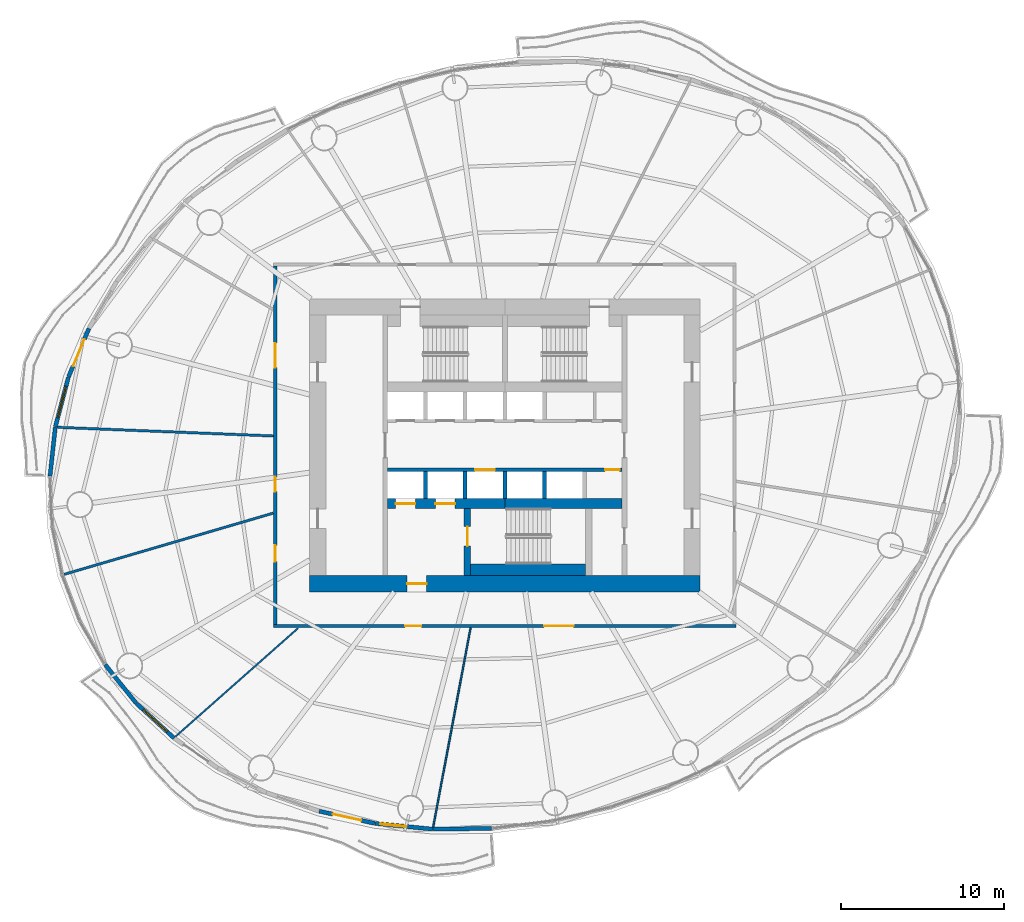
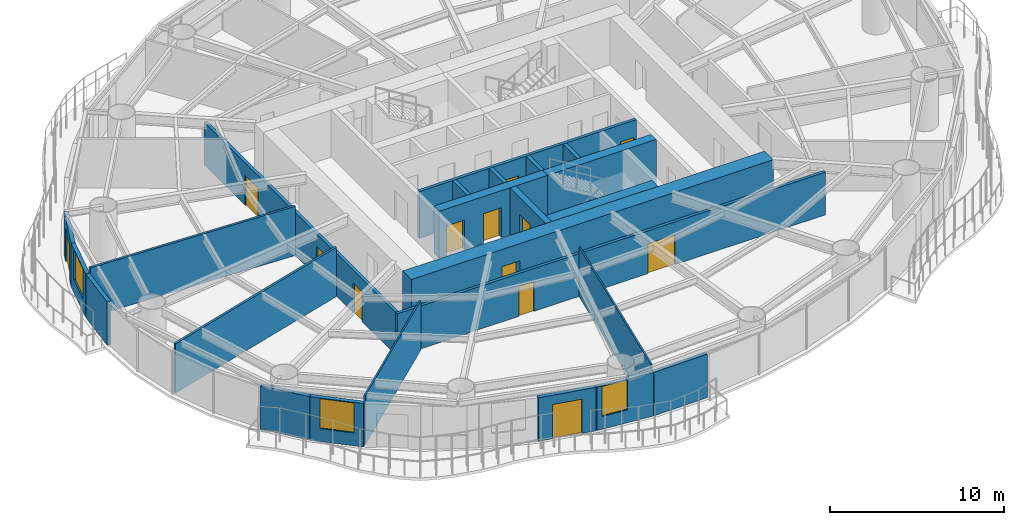
# One storey, part 7 of 16: 24 walls, 13 doors, 3 windows, 16 openings.
"""IFC4 building model written with IfcOpenShell, lengths in metres."""

import ifcopenshell
import ifcopenshell.guid

model = None  # the IFC model being written
_history = None  # IfcOwnerHistory: only IFC2X3 demands one
_inside = {}  # id of a spatial element -> (the spatial element, [elements in it])
_under = {}  # id of a project, library or spatial element -> (it, [spatial elements below it])
_declared = {}  # id of a project -> (the project, [libraries it declares])
_typed = {}  # id of a type object -> (the type object, [elements of that type])
_made_of = {}  # id of a material, layer set ... -> (it, [elements and type objects made of it])


def new_model(schema):
    """Start an empty IFC model of exactly this schema.

    Asked for "IFC4X3", IfcOpenShell would pick the latest addendum, in which some entities
    have other attributes; the version numbers below select the first issue.
    IFC2X3 requires an IfcOwnerHistory on every rooted entity: one is made here for all.
    """
    global model, _history
    if schema == "IFC4X3":
        model = ifcopenshell.file(schema_version=(4, 3, 0, 0))
    else:
        model = ifcopenshell.file(schema=schema)
    _inside.clear()
    _under.clear()
    _declared.clear()
    _typed.clear()
    _made_of.clear()
    _history = None
    if model.schema == "IFC2X3":
        org = make("IfcOrganization", Name="unknown")
        user = make(
            "IfcPersonAndOrganization",
            ThePerson=make("IfcPerson", FamilyName="unknown"),
            TheOrganization=org,
        )
        app = make(
            "IfcApplication",
            ApplicationDeveloper=org,
            Version="unknown",
            ApplicationFullName="unknown",
            ApplicationIdentifier="unknown",
        )
        _history = make(
            "IfcOwnerHistory",
            OwningUser=user,
            OwningApplication=app,
            ChangeAction="ADDED",
            CreationDate=0,
        )
    return model


def make(cls, **values):
    """One entity of the class cls with the attributes given. An attribute that is None is left unset."""
    return model.create_entity(
        cls, **{name: value for name, value in values.items() if value is not None}
    )


def rooted(cls, **values):
    """An entity with a GlobalId (a new one), such as an element, a storey or a relation."""
    return make(cls, GlobalId=ifcopenshell.guid.new(), OwnerHistory=_history, **values)


def si_unit(unit_type, name, prefix=None):
    """IfcSIUnit, for example si_unit("LENGTHUNIT", "METRE", prefix="MILLI")."""
    return make("IfcSIUnit", UnitType=unit_type, Prefix=prefix, Name=name)


def assignment(units):
    """IfcUnitAssignment: the units of a project."""
    return None if units is None else make("IfcUnitAssignment", Units=units)


def point(xyz):
    """IfcCartesianPoint."""
    return None if xyz is None else make("IfcCartesianPoint", Coordinates=xyz)


def direction(xyz):
    """IfcDirection."""
    return None if xyz is None else make("IfcDirection", DirectionRatios=xyz)


def frame(location, z_axis=None, x_axis=None):
    """IfcAxis2Placement3D, a coordinate frame: its origin and axes. An axis left out is left unset."""
    return make(
        "IfcAxis2Placement3D",
        Location=point(location),
        Axis=direction(z_axis),
        RefDirection=direction(x_axis),
    )


def frame_2d(location, x_axis=None):
    """IfcAxis2Placement2D, a coordinate frame in the plane: its origin and x axis."""
    return make(
        "IfcAxis2Placement2D", Location=point(location), RefDirection=direction(x_axis)
    )


def origin():
    """The frame at (0, 0, 0) with its axes left unset."""
    return frame((0.0, 0.0, 0.0))


def place(relative_to, where):
    """IfcLocalPlacement: puts the frame where relative to a parent placement (None: the world)."""
    return make(
        "IfcLocalPlacement", PlacementRelTo=relative_to, RelativePlacement=where
    )


def context(
    kind, dimensions, precision=None, world=None, true_north=None, identifier=None
):
    """IfcGeometricRepresentationContext, for example the 3D "Model" context."""
    return make(
        "IfcGeometricRepresentationContext",
        ContextIdentifier=identifier,
        ContextType=kind,
        CoordinateSpaceDimension=dimensions,
        Precision=precision,
        WorldCoordinateSystem=world,
        TrueNorth=true_north,
    )


def subcontext(parent, identifier, kind, view, scale=None):
    """IfcGeometricRepresentationSubContext, for example "Body" below "Model"."""
    return make(
        "IfcGeometricRepresentationSubContext",
        ContextIdentifier=identifier,
        ContextType=kind,
        ParentContext=parent,
        TargetScale=scale,
        TargetView=view,
    )


def project(units=None, contexts=None):
    """IfcProject with its units and contexts."""
    return rooted(
        "IfcProject",
        Name="project",
        RepresentationContexts=contexts,
        UnitsInContext=assignment(units),
    )


def spatial(cls, under=None, at=None, **own):
    """A site, building, storey or space (cls), placed at a placement, below another one or the project."""
    s = rooted(cls, ObjectPlacement=at, **own)
    if under is not None:
        _under.setdefault(under.id(), (under, []))[1].append(s)
    return s


def profile(cls, at=None, kind="AREA", **sizes):
    """A parametric profile (cls). Its sizes go by their IFC names, for example OverallWidth=200.0."""
    return make(cls, ProfileType=kind, Position=at, **sizes)


def rectangle(**sizes):
    """IfcRectangleProfileDef."""
    return profile("IfcRectangleProfileDef", **sizes)


def extrude(swept, where, along, depth):
    """IfcExtrudedAreaSolid: the profile swept, set in the frame where, extruded along a direction by depth."""
    return make(
        "IfcExtrudedAreaSolid",
        SweptArea=swept,
        Position=where,
        ExtrudedDirection=direction(along),
        Depth=depth,
    )


def shape(context_of_items, identifier, shape_type, items):
    """IfcShapeRepresentation: the items that make up one representation, for example the "Body"."""
    return make(
        "IfcShapeRepresentation",
        ContextOfItems=context_of_items,
        RepresentationIdentifier=identifier,
        RepresentationType=shape_type,
        Items=items,
    )


def material(Name=None, Category=None):
    """IfcMaterial."""
    return make("IfcMaterial", Name=Name, Category=Category)


def layer(
    of_material, thickness, ventilated=None, Name=None, Category=None, Priority=None
):
    """IfcMaterialLayer: one layer of a wall or slab, of a material (None: an air gap)."""
    return make(
        "IfcMaterialLayer",
        Material=of_material,
        LayerThickness=thickness,
        IsVentilated=ventilated,
        Name=Name,
        Category=Category,
        Priority=Priority,
    )


def layer_set(layers, Name=None):
    """IfcMaterialLayerSet."""
    return make("IfcMaterialLayerSet", MaterialLayers=layers, LayerSetName=Name)


def made_of(thing, what):
    """Note that an element or type object is made of a material, layer set ...; save() writes the relation."""
    if what is not None:
        _made_of.setdefault(what.id(), (what, []))[1].append(thing)
    return thing


def type_object(cls, material=None, **own):
    """A type object (cls), such as IfcWallType, which elements share."""
    return made_of(rooted(cls, **own), material)


def element(
    cls,
    number,
    at=None,
    inside=None,
    cuts=None,
    type_object=None,
    material=None,
    context=None,
    identifier="Body",
    shape_type=None,
    held_by="IfcProductDefinitionShape",
    body=None,
    shapes=None,
    **own,
):
    """One element of the class cls, such as IfcWall. Its Tag is "e" and its number.

    at: its placement. inside: the storey or other place that contains it. cuts: it is an
    opening in that element (IfcRelVoidsElement). A single representation is given by context,
    identifier, shape_type and body (its items); several are given by shapes. held_by: the class
    of the entity that holds the representations. save() writes the other relations.
    """
    e = rooted(cls, Tag="e%d" % number, ObjectPlacement=at, **own)
    if body is not None:
        shapes = [shape(context, identifier, shape_type, body)]
    if shapes is not None:
        e.Representation = make(held_by, Representations=shapes)
    if inside is not None:
        _inside.setdefault(inside.id(), (inside, []))[1].append(e)
    if cuts is not None:
        rooted(
            "IfcRelVoidsElement", RelatingBuildingElement=cuts, RelatedOpeningElement=e
        )
    if type_object is not None:
        _typed.setdefault(type_object.id(), (type_object, []))[1].append(e)
    return made_of(e, material)


def fill(opening, filler):
    """IfcRelFillsElement: the door or window that sits in an opening."""
    return rooted(
        "IfcRelFillsElement",
        RelatingOpeningElement=opening,
        RelatedBuildingElement=filler,
    )


def aggregate(whole, parts):
    """IfcRelAggregates: a whole, such as a stair, and the parts it consists of."""
    return rooted("IfcRelAggregates", RelatingObject=whole, RelatedObjects=parts)


def save(model, path):
    """Write the relations noted so far, then the file.

    IfcRelAggregates (storeys below a building ...), IfcRelContainedInSpatialStructure (elements
    in a storey), IfcRelDefinesByType, IfcRelAssociatesMaterial and IfcRelDeclares: one each for
    every whole, place, type object, material and project.
    """
    for whole, parts in _under.values():
        aggregate(whole, parts)
    for where, things in _inside.values():
        rooted(
            "IfcRelContainedInSpatialStructure",
            RelatedElements=things,
            RelatingStructure=where,
        )
    for kind, things in _typed.values():
        rooted("IfcRelDefinesByType", RelatedObjects=things, RelatingType=kind)
    for what, things in _made_of.values():
        rooted("IfcRelAssociatesMaterial", RelatedObjects=things, RelatingMaterial=what)
    for by, libraries in _declared.values():
        rooted("IfcRelDeclares", RelatingContext=by, RelatedDefinitions=libraries)
    model.write(path)


model = new_model("IFC4")

# Units and contexts
model_context = context("Model", 3, precision=1e-05, world=origin(), true_north=direction((0.0, 1.0)))
body_context = subcontext(model_context, "Body", "Model", "MODEL_VIEW")
ifc_project = project(units=[si_unit("LENGTHUNIT", "METRE"), si_unit("AREAUNIT", "SQUARE_METRE"), si_unit("VOLUMEUNIT", "CUBIC_METRE"), si_unit("PLANEANGLEUNIT", "RADIAN"), si_unit("MASSUNIT", "GRAM", prefix="KILO")], contexts=[model_context])

# Site, building, storey
site_placement = place(None, origin())
site = spatial("IfcSite", under=ifc_project, at=site_placement, CompositionType="ELEMENT")
building_placement = place(site_placement, origin())
building = spatial("IfcBuilding", under=site, at=building_placement, Name="Vermilion Reach Broadcast Tower", CompositionType="ELEMENT")
storey_placement = place(building_placement, frame((0.0, 0.0, 99.39990234375)))
storey = spatial("IfcBuildingStorey", under=building, at=storey_placement, Name="L22", CompositionType="ELEMENT", Elevation=99.39990234375)

# Wall, opening, door
ifc_material_1 = material(Name="Concrete C70", Category="concrete")
ifc_layer_1 = layer(ifc_material_1, 0.39990234375)
ifc_layer_set_1 = layer_set([ifc_layer_1], Name="Core inner wall 400 mm Concrete C70")
wall_type_1 = type_object("IfcWallType", Name="Core inner wall 400 mm Concrete C70", PredefinedType="SHEAR", material=ifc_layer_set_1)
wall_1_placement = place(storey_placement, frame((-8.300048828125, -3.8798828125, 0.0), z_axis=(0.0, 0.0, 1.0), x_axis=(0.0, -1.0, 0.0)))
wall_1 = element("IfcWall", 1, at=wall_1_placement, inside=storey, type_object=wall_type_1, Name="L22 core wall wa", PredefinedType="SHEAR", context=body_context, shape_type="SweptSolid", body=[
    extrude(rectangle(XDim=4.1201171875, YDim=0.39990234375, at=frame_2d((2.06005859375, 0.0))), origin(), (0.0, 0.0, 1.0), 3.300048828125),
])
opening_1_placement = place(wall_1_placement, frame((1.110107421875, 0.0, 0.0)))
opening_1 = element("IfcOpeningElement", 2, at=opening_1_placement, cuts=wall_1, Name="Opening D01", PredefinedType="OPENING", context=body_context, shape_type="SweptSolid", body=[
    extrude(rectangle(XDim=1.199951171875, YDim=2.10009765625, at=frame_2d((0.60009765625, 1.050048828125))), frame((0.0, 0.2099609375, 0.0), z_axis=(0.0, -1.0, 0.0), x_axis=(1.0, 0.0, 0.0)), (0.0, 0.0, 1.0), 0.419921875),
])
ifc_material_2 = material(Name="Painted steel fire door", Category="steel")
door_type_1 = type_object("IfcDoorType", Name="Stair door 1200 x 2100", OperationType="DOUBLE_DOOR_SINGLE_SWING", PredefinedType="NOTDEFINED", material=ifc_material_2)
door_1_placement = place(opening_1_placement, origin())
door_1 = element("IfcDoor", 3, at=door_1_placement, inside=storey, type_object=door_type_1, Name="L22 stair door ST3", OperationType="DOUBLE_DOOR_SINGLE_SWING", OverallHeight=2.10009765625, OverallWidth=1.199951171875, PredefinedType="NOTDEFINED", context=body_context, shape_type="SweptSolid", body=[
    extrude(rectangle(XDim=1.199951171875, YDim=2.10009765625, at=frame_2d((0.60009765625, 1.050048828125))), frame((0.0, 0.02490234375, 0.0), z_axis=(0.0, -1.0, 0.0), x_axis=(1.0, 0.0, 0.0)), (0.0, 0.0, 1.0), 0.050048828125),
])
fill(opening_1, door_1)

# Wall, openings, doors
ifc_material_3 = material(Name="Concrete C70", Category="concrete")
ifc_layer_2 = layer(ifc_material_3, 0.60009765625)
ifc_layer_set_2 = layer_set([ifc_layer_2], Name="Core inner wall 600 mm Concrete C70")
wall_type_2 = type_object("IfcWallType", Name="Core inner wall 600 mm Concrete C70", PredefinedType="SHEAR", material=ifc_layer_set_2)
wall_2_placement = place(storey_placement, frame((-13.199951171875, -3.580078125, 0.0), z_axis=(0.0, 0.0, 1.0), x_axis=(1.0, 0.0, 0.0)))
wall_2 = element("IfcWall", 4, at=wall_2_placement, inside=storey, type_object=wall_type_2, Name="L22 core wall wisW", PredefinedType="SHEAR", context=body_context, shape_type="SweptSolid", body=[
    extrude(rectangle(XDim=7.199951171875, YDim=0.60009765625, at=frame_2d((3.60009765625, 0.0))), origin(), (0.0, 0.0, 1.0), 3.300048828125),
])
opening_2_placement = place(wall_2_placement, frame((0.495849609375, 0.0, 0.0)))
opening_2 = element("IfcOpeningElement", 5, at=opening_2_placement, cuts=wall_2, Name="Opening LD1", PredefinedType="OPENING", context=body_context, shape_type="SweptSolid", body=[
    extrude(rectangle(XDim=1.199951171875, YDim=2.10009765625, at=frame_2d((0.60009765625, 1.050048828125))), frame((0.0, 0.31005859375, 0.0), z_axis=(0.0, -1.0, 0.0), x_axis=(1.0, 0.0, 0.0)), (0.0, 0.0, 1.0), 0.6201171875),
])
opening_3_placement = place(wall_2_placement, frame((2.9375, 0.0, 0.0)))
opening_3 = element("IfcOpeningElement", 6, at=opening_3_placement, cuts=wall_2, Name="Opening LD1", PredefinedType="OPENING", context=body_context, shape_type="SweptSolid", body=[
    extrude(rectangle(XDim=1.199951171875, YDim=2.10009765625, at=frame_2d((0.60009765625, 1.050048828125))), frame((0.0, 0.31005859375, 0.0), z_axis=(0.0, -1.0, 0.0), x_axis=(1.0, 0.0, 0.0)), (0.0, 0.0, 1.0), 0.6201171875),
])
ifc_material_4 = material(Name="Stainless steel", Category="steel")
door_type_2 = type_object("IfcDoorType", Name="Landing door 1200 x 2100", OperationType="DOUBLE_DOOR_SLIDING", PredefinedType="NOTDEFINED", material=ifc_material_4)
door_2_placement = place(opening_2_placement, origin())
door_2 = element("IfcDoor", 7, at=door_2_placement, inside=storey, type_object=door_type_2, Name="L22 landing door FF1", OperationType="DOUBLE_DOOR_SLIDING", OverallHeight=2.10009765625, OverallWidth=1.199951171875, PredefinedType="NOTDEFINED", context=body_context, shape_type="SweptSolid", body=[
    extrude(rectangle(XDim=1.199951171875, YDim=2.10009765625, at=frame_2d((0.60009765625, 1.050048828125))), frame((0.0, 0.02490234375, 0.0), z_axis=(0.0, -1.0, 0.0), x_axis=(1.0, 0.0, 0.0)), (0.0, 0.0, 1.0), 0.050048828125),
])
fill(opening_2, door_2)
door_3_placement = place(opening_3_placement, origin())
door_3 = element("IfcDoor", 8, at=door_3_placement, inside=storey, type_object=door_type_2, Name="L22 landing door FF2", OperationType="DOUBLE_DOOR_SLIDING", OverallHeight=2.10009765625, OverallWidth=1.199951171875, PredefinedType="NOTDEFINED", context=body_context, shape_type="SweptSolid", body=[
    extrude(rectangle(XDim=1.199951171875, YDim=2.10009765625, at=frame_2d((0.60009765625, 1.050048828125))), frame((0.0, 0.02490234375, 0.0), z_axis=(0.0, -1.0, 0.0), x_axis=(1.0, 0.0, 0.0)), (0.0, 0.0, 1.0), 0.050048828125),
])
fill(opening_3, door_3)

# Wall
wall_3_placement = place(storey_placement, frame((-6.0, -3.580078125, 0.0), z_axis=(0.0, 0.0, 1.0), x_axis=(1.0, 0.0, 0.0)))
element("IfcWall", 9, at=wall_3_placement, inside=storey, type_object=wall_type_2, Name="L22 core wall wisE", PredefinedType="SHEAR", context=body_context, shape_type="SweptSolid", body=[
    extrude(rectangle(XDim=7.199951171875, YDim=0.60009765625, at=frame_2d((3.60009765625, 0.0))), origin(), (0.0, 0.0, 1.0), 3.300048828125),
])

# Wall, opening, door
ifc_material_5 = material(Name="Concrete C70", Category="concrete")
ifc_layer_3 = layer(ifc_material_5, 1.0)
ifc_layer_set_3 = layer_set([ifc_layer_3], Name="Core outer wall 1000 mm Concrete C70")
wall_type_3 = type_object("IfcWallType", Name="Core outer wall 1000 mm Concrete C70", PredefinedType="SHEAR", material=ifc_layer_set_3)
wall_4_placement = place(storey_placement, frame((-18.0, -8.5, 0.0), z_axis=(0.0, 0.0, 1.0), x_axis=(1.0, 0.0, 0.0)))
wall_4 = element("IfcWall", 10, at=wall_4_placement, inside=storey, type_object=wall_type_3, Name="L22 core wall os", PredefinedType="SHEAR", context=body_context, shape_type="SweptSolid", body=[
    extrude(rectangle(XDim=24.0, YDim=1.0, at=frame_2d((12.0, 0.0))), origin(), (0.0, 0.0, 1.0), 3.300048828125),
])
opening_4_placement = place(wall_4_placement, frame((6.0, 0.0, 0.0)))
opening_4 = element("IfcOpeningElement", 11, at=opening_4_placement, cuts=wall_4, Name="Opening D02", PredefinedType="OPENING", context=body_context, shape_type="SweptSolid", body=[
    extrude(rectangle(XDim=1.199951171875, YDim=2.10009765625, at=frame_2d((0.60009765625, 1.050048828125))), frame((0.0, 0.510009765625, 0.0), z_axis=(0.0, -1.0, 0.0), x_axis=(1.0, 0.0, 0.0)), (0.0, 0.0, 1.0), 1.02001953125),
])
ifc_material_6 = material(Name="Painted steel fire door", Category="steel")
door_type_3 = type_object("IfcDoorType", Name="Firefighting lobby door 1200 x 2100", OperationType="DOUBLE_DOOR_SINGLE_SWING", PredefinedType="NOTDEFINED", material=ifc_material_6)
door_4_placement = place(opening_4_placement, origin())
door_4 = element("IfcDoor", 12, at=door_4_placement, inside=storey, type_object=door_type_3, Name="L22 ffdoor door FFL", OperationType="DOUBLE_DOOR_SINGLE_SWING", OverallHeight=2.10009765625, OverallWidth=1.199951171875, PredefinedType="NOTDEFINED", context=body_context, shape_type="SweptSolid", body=[
    extrude(rectangle(XDim=1.199951171875, YDim=2.10009765625, at=frame_2d((0.60009765625, 1.050048828125))), frame((0.0, 0.02490234375, 0.0), z_axis=(0.0, -1.0, 0.0), x_axis=(1.0, 0.0, 0.0)), (0.0, 0.0, 1.0), 0.050048828125),
])
fill(opening_4, door_4)

# Wall, openings, doors
ifc_material_7 = material(Name="Concrete C50", Category="concrete")
ifc_layer_4 = layer(ifc_material_7, 0.199951171875)
ifc_layer_set_4 = layer_set([ifc_layer_4], Name="Core shaft wall 200 mm Concrete C50")
wall_type_4 = type_object("IfcWallType", Name="Core shaft wall 200 mm Concrete C50", PredefinedType="SHEAR", material=ifc_layer_set_4)
wall_5_placement = place(storey_placement, frame((1.199951171875, -1.5, 0.0), z_axis=(0.0, 0.0, 1.0), x_axis=(-1.0, 0.0, 0.0)))
wall_5 = element("IfcWall", 13, at=wall_5_placement, inside=storey, type_object=wall_type_4, Name="L22 core wall fs", PredefinedType="SHEAR", context=body_context, shape_type="SweptSolid", body=[
    extrude(rectangle(XDim=14.39990234375, YDim=0.199951171875, at=frame_2d((7.199951171875, 0.0))), origin(), (0.0, 0.0, 1.0), 3.300048828125),
])
opening_5_placement = place(wall_5_placement, frame((7.82080078125, 0.0, 0.0)))
opening_5 = element("IfcOpeningElement", 14, at=opening_5_placement, cuts=wall_5, Name="Opening LD1", PredefinedType="OPENING", context=body_context, shape_type="SweptSolid", body=[
    extrude(rectangle(XDim=1.199951171875, YDim=2.10009765625, at=frame_2d((0.60009765625, 1.050048828125))), frame((0.0, 0.10986328125, 0.0), z_axis=(0.0, -1.0, 0.0), x_axis=(1.0, 0.0, 0.0)), (0.0, 0.0, 1.0), 0.219970703125),
])
opening_6_placement = place(wall_5_placement, frame((0.14990234375, 0.0, 0.0)))
opening_6 = element("IfcOpeningElement", 15, at=opening_6_placement, cuts=wall_5, Name="Opening D06", PredefinedType="OPENING", context=body_context, shape_type="SweptSolid", body=[
    extrude(rectangle(XDim=0.89990234375, YDim=2.10009765625, at=frame_2d((0.449951171875, 1.050048828125))), frame((0.0, 0.10986328125, 0.0), z_axis=(0.0, -1.0, 0.0), x_axis=(1.0, 0.0, 0.0)), (0.0, 0.0, 1.0), 0.219970703125),
])
door_5_placement = place(opening_5_placement, origin())
door_5 = element("IfcDoor", 16, at=door_5_placement, inside=storey, type_object=door_type_2, Name="L22 landing door SV1", OperationType="DOUBLE_DOOR_SLIDING", OverallHeight=2.10009765625, OverallWidth=1.199951171875, PredefinedType="NOTDEFINED", context=body_context, shape_type="SweptSolid", body=[
    extrude(rectangle(XDim=1.199951171875, YDim=2.10009765625, at=frame_2d((0.60009765625, 1.050048828125))), frame((0.0, 0.02490234375, 0.0), z_axis=(0.0, -1.0, 0.0), x_axis=(1.0, 0.0, 0.0)), (0.0, 0.0, 1.0), 0.050048828125),
])
fill(opening_5, door_5)
ifc_material_8 = material(Name="Timber door", Category="wood")
door_type_4 = type_object("IfcDoorType", Name="WC door 900 x 2100", OperationType="NOTDEFINED", PredefinedType="NOTDEFINED", material=ifc_material_8)
door_6_placement = place(opening_6_placement, origin())
door_6 = element("IfcDoor", 17, at=door_6_placement, inside=storey, type_object=door_type_4, Name="L22 door Male WC", OperationType="SINGLE_SWING_LEFT", OverallHeight=2.10009765625, OverallWidth=0.89990234375, PredefinedType="NOTDEFINED", context=body_context, shape_type="SweptSolid", body=[
    extrude(rectangle(XDim=0.89990234375, YDim=2.10009765625, at=frame_2d((0.449951171875, 1.050048828125))), frame((0.0, 0.02490234375, 0.0), z_axis=(0.0, -1.0, 0.0), x_axis=(1.0, 0.0, 0.0)), (0.0, 0.0, 1.0), 0.050048828125),
])
fill(opening_6, door_6)

# Walls
ifc_material_9 = material(Name="Concrete C50", Category="concrete")
ifc_layer_5 = layer(ifc_material_9, 0.25)
ifc_layer_set_5 = layer_set([ifc_layer_5], Name="Core shaft wall 250 mm Concrete C50")
wall_type_5 = type_object("IfcWallType", Name="Core shaft wall 250 mm Concrete C50", PredefinedType="SHEAR", material=ifc_layer_set_5)
for number, where, z_axis, x_axis, name in (
    (18, (-10.88330078125, -1.60009765625, 0.0), (0.0, 0.0, 1.0), (0.0, -1.0, 0.0), "L22 core wall psS0"),
    (19, (-8.441650390625, -1.60009765625, 0.0), (0.0, 0.0, 1.0), (0.0, -1.0, 0.0), "L22 core wall psS1"),
    (20, (-6.0, -1.60009765625, 0.0), (0.0, 0.0, 1.0), (0.0, -1.0, 0.0), "L22 core wall psS2"),
    (21, (-3.558349609375, -1.60009765625, 0.0), (0.0, 0.0, 1.0), (0.0, -1.0, 0.0), "L22 core wall psS3"),
):
    element("IfcWall", number, at=place(storey_placement, frame(where, z_axis=z_axis, x_axis=x_axis)), inside=storey, type_object=wall_type_5, Name=name, PredefinedType="SHEAR", context=body_context, shape_type="SweptSolid", body=[
        extrude(rectangle(XDim=1.679931640625, YDim=0.25, at=frame_2d((0.83984375, 0.0))), origin(), (0.0, 0.0, 1.0), 3.300048828125),
    ])
ifc_material_10 = material(Name="Concrete C70", Category="concrete")
ifc_layer_6 = layer(ifc_material_10, 0.699951171875)
ifc_layer_set_6 = layer_set([ifc_layer_6], Name="Core stair wall 700 mm Concrete C70")
wall_type_6 = type_object("IfcWallType", Name="Core stair wall 700 mm Concrete C70", PredefinedType="SHEAR", material=ifc_layer_set_6)
wall_6_placement = place(storey_placement, frame((-8.10009765625, -7.64990234375, 0.0), z_axis=(0.0, 0.0, 1.0), x_axis=(1.0, 0.0, 0.0)))
element("IfcWall", 22, at=wall_6_placement, inside=storey, type_object=wall_type_6, Name="L22 core wall l3", PredefinedType="SHEAR", context=body_context, shape_type="SweptSolid", body=[
    extrude(rectangle(XDim=7.050048828125, YDim=0.699951171875, at=frame_2d((3.52490234375, 0.0))), origin(), (0.0, 0.0, 1.0), 3.300048828125),
])
ifc_material_11 = material(Name="Plasterboard on steel stud", Category="steel")
ifc_layer_7 = layer(ifc_material_11, 0.10009765625)
ifc_layer_set_7 = layer_set([ifc_layer_7], Name="Partition 100 steel stud")
wall_type_7 = type_object("IfcWallType", Name="Partition 100 steel stud", PredefinedType="PARTITIONING", material=ifc_layer_set_7)
wall_7_placement = place(storey_placement, frame((-26.2333984375, -17.8916015625, 0.0), z_axis=(0.0, 0.0, 1.0), x_axis=(0.749135252735, 0.662417068854, 0.0)))
element("IfcWall", 23, at=wall_7_placement, inside=storey, type_object=wall_type_7, Name="Partition 22.08", PredefinedType="PARTITIONING", context=body_context, shape_type="SweptSolid", body=[
    extrude(rectangle(XDim=10.045166015625, YDim=0.10009765625, at=frame_2d((5.0224609375, 0.0))), origin(), (0.0, 0.0, 1.0), 3.4501953125),
])
wall_8_placement = place(storey_placement, frame((-10.40576171875, -23.45458984375, 0.0), z_axis=(0.0, 0.0, 1.0), x_axis=(0.184602041508, 0.982813352713, 0.0)))
element("IfcWall", 24, at=wall_8_placement, inside=storey, type_object=wall_type_7, Name="Partition 22.09", PredefinedType="PARTITIONING", context=body_context, shape_type="SweptSolid", body=[
    extrude(rectangle(XDim=12.45947265625, YDim=0.10009765625, at=frame_2d((6.229736328125, 0.0))), origin(), (0.0, 0.0, 1.0), 3.4501953125),
])
ifc_material_12 = material(Name="Lightweight concrete block, plastered", Category="concrete")
ifc_layer_8 = layer(ifc_material_12, 0.14990234375)
ifc_layer_set_8 = layer_set([ifc_layer_8], Name="Partition 150 lightweight block")
wall_type_8 = type_object("IfcWallType", Name="Partition 150 lightweight block", PredefinedType="PARTITIONING", material=ifc_layer_set_8)
wall_9_placement = place(storey_placement, frame((-33.488525390625, 1.106201171875, 0.0), z_axis=(0.0, 0.0, 1.0), x_axis=(0.999191161374, -0.040212224919, 0.0)))
element("IfcWall", 25, at=wall_9_placement, inside=storey, type_object=wall_type_8, Name="Partition 22.06", PredefinedType="PARTITIONING", context=body_context, shape_type="SweptSolid", body=[
    extrude(rectangle(XDim=13.296142578125, YDim=0.14990234375, at=frame_2d((6.64794921875, 0.0))), origin(), (0.0, 0.0, 1.0), 3.4501953125),
])
wall_10_placement = place(storey_placement, frame((-33.067138671875, -7.92529296875, 0.0), z_axis=(0.0, 0.0, 1.0), x_axis=(0.959703459694, 0.281014713942, 0.0)))
element("IfcWall", 26, at=wall_10_placement, inside=storey, type_object=wall_type_8, Name="Partition 22.07", PredefinedType="PARTITIONING", context=body_context, shape_type="SweptSolid", body=[
    extrude(rectangle(XDim=13.38525390625, YDim=0.14990234375, at=frame_2d((6.692626953125, 0.0))), origin(), (0.0, 0.0, 1.0), 3.4501953125),
])

# Wall, opening, door
ifc_material_13 = material(Name="Terracotta rainscreen cladding", Category="masonry")
ifc_layer_9 = layer(ifc_material_13, 0.25)
ifc_layer_set_9 = layer_set([ifc_layer_9], Name="Terracotta rainscreen wall 250")
wall_type_9 = type_object("IfcWallType", Name="Terracotta rainscreen wall 250", PredefinedType="SOLIDWALL", material=ifc_layer_set_9)
wall_11_placement = place(storey_placement, frame((-31.547607421875, 7.1767578125, 0.0), z_axis=(0.0, 0.0, 1.0), x_axis=(-0.388723599909, -0.921354417623, 0.0)))
wall_11 = element("IfcWall", 27, at=wall_11_placement, inside=storey, type_object=wall_type_9, Name="External wall L22 19", PredefinedType="SOLIDWALL", context=body_context, shape_type="SweptSolid", body=[
    extrude(rectangle(XDim=3.22509765625, YDim=0.25, at=frame_2d((1.612548828125, 0.0))), origin(), (0.0, 0.0, 1.0), 3.050048828125),
])
opening_7_placement = place(wall_11_placement, frame((0.712890625, 0.0, 0.0)))
opening_7 = element("IfcOpeningElement", 28, at=opening_7_placement, cuts=wall_11, Name="Opening D70", PredefinedType="OPENING", context=body_context, shape_type="SweptSolid", body=[
    extrude(rectangle(XDim=1.800048828125, YDim=2.39990234375, at=frame_2d((0.89990234375, 1.199951171875))), frame((0.0, 0.135009765625, 0.0), z_axis=(0.0, -1.0, 0.0), x_axis=(1.0, 0.0, 0.0)), (0.0, 0.0, 1.0), 0.27001953125),
])
ifc_material_14 = material(Name="Low-e laminated clear glass in aluminium frame", Category="aluminium")
door_type_5 = type_object("IfcDoorType", Name="Balcony sliding door 1800 x 2400", OperationType="DOUBLE_DOOR_SLIDING", PredefinedType="DOOR", material=ifc_material_14)
door_7_placement = place(opening_7_placement, origin())
door_7 = element("IfcDoor", 29, at=door_7_placement, inside=storey, type_object=door_type_5, Name="Balcony door L22 run 05", OperationType="DOUBLE_DOOR_SLIDING", OverallHeight=2.39990234375, OverallWidth=1.800048828125, PredefinedType="DOOR", context=body_context, shape_type="SweptSolid", body=[
    extrude(rectangle(XDim=1.800048828125, YDim=2.39990234375, at=frame_2d((0.89990234375, 1.199951171875))), frame((0.0, 0.02490234375, 0.0), z_axis=(0.0, -1.0, 0.0), x_axis=(1.0, 0.0, 0.0)), (0.0, 0.0, 1.0), 0.050048828125),
])
fill(opening_7, door_7)

# Wall, opening, window
wall_12_placement = place(storey_placement, frame((-32.8095703125, 4.180908203125, 0.0), z_axis=(0.0, 0.0, 1.0), x_axis=(-0.25414525883, -0.967166059896, 0.0)))
wall_12 = element("IfcWall", 30, at=wall_12_placement, inside=storey, type_object=wall_type_9, Name="External wall L22 20", PredefinedType="SOLIDWALL", context=body_context, shape_type="SweptSolid", body=[
    extrude(rectangle(XDim=3.142333984375, YDim=0.25, at=frame_2d((1.5712890625, 0.0))), origin(), (0.0, 0.0, 1.0), 3.050048828125),
])
opening_8_placement = place(wall_12_placement, frame((0.571044921875, 0.0, 0.89990234375)))
opening_8 = element("IfcOpeningElement", 31, at=opening_8_placement, cuts=wall_12, Name="Opening W03", PredefinedType="OPENING", context=body_context, shape_type="SweptSolid", body=[
    extrude(rectangle(XDim=2.0, YDim=2.10009765625, at=frame_2d((1.0, 1.050048828125))), frame((0.0, 0.135009765625, 0.0), z_axis=(0.0, -1.0, 0.0), x_axis=(1.0, 0.0, 0.0)), (0.0, 0.0, 1.0), 0.27001953125),
])
ifc_material_15 = material(Name="Low-e laminated clear glass in aluminium frame", Category="aluminium")
window_type_1 = type_object("IfcWindowType", Name="Punched window 2000 x 2100 sill 900", PartitioningType="SINGLE_PANEL", PredefinedType="WINDOW", material=ifc_material_15)
window_1_placement = place(opening_8_placement, origin())
window_1 = element("IfcWindow", 32, at=window_1_placement, inside=storey, type_object=window_type_1, Name="Window L22 20", OverallHeight=2.10009765625, OverallWidth=2.0, PartitioningType="SINGLE_PANEL", PredefinedType="WINDOW", context=body_context, shape_type="SweptSolid", body=[
    extrude(rectangle(XDim=2.0, YDim=2.10009765625, at=frame_2d((1.0, 1.050048828125))), frame((0.0, 0.030029296875, 0.0), z_axis=(0.0, -1.0, 0.0), x_axis=(1.0, 0.0, 0.0)), (0.0, 0.0, 1.0), 0.06005859375),
])
fill(opening_8, window_1)

# Walls
for number, where, z_axis, x_axis, name in (
    (33, (-33.61279296875, 1.11572265625, 0.0), (0.0, 0.0, 1.0), (-0.107752917702, -0.994177704803, 0.0), "External wall L22 21"),
    (34, (-30.55078125, -13.470947265625, 0.0), (0.0, 0.0, 1.0), (0.626892577284, -0.779105703064, 0.0), "External wall L22 26"),
):
    element("IfcWall", number, at=place(storey_placement, frame(where, z_axis=z_axis, x_axis=x_axis)), inside=storey, type_object=wall_type_9, Name=name, PredefinedType="SOLIDWALL", context=body_context, shape_type="SweptSolid", body=[
        extrude(rectangle(XDim=3.031494140625, YDim=0.25, at=frame_2d((1.515625, 0.0))), origin(), (0.0, 0.0, 1.0), 3.050048828125),
    ])

# Wall, opening, window
wall_13_placement = place(storey_placement, frame((-28.63232421875, -15.85205078125, 0.0), z_axis=(0.0, 0.0, 1.0), x_axis=(0.735604195004, -0.677411594448, 0.0)))
wall_13 = element("IfcWall", 35, at=wall_13_placement, inside=storey, type_object=wall_type_9, Name="External wall L22 27", PredefinedType="SOLIDWALL", context=body_context, shape_type="SweptSolid", body=[
    extrude(rectangle(XDim=3.142333984375, YDim=0.25, at=frame_2d((1.5712890625, 0.0))), origin(), (0.0, 0.0, 1.0), 3.050048828125),
])
opening_9_placement = place(wall_13_placement, frame((0.571044921875, 0.0, 0.89990234375)))
opening_9 = element("IfcOpeningElement", 36, at=opening_9_placement, cuts=wall_13, Name="Opening W03", PredefinedType="OPENING", context=body_context, shape_type="SweptSolid", body=[
    extrude(rectangle(XDim=2.0, YDim=2.10009765625, at=frame_2d((1.0, 1.050048828125))), frame((0.0, 0.135009765625, 0.0), z_axis=(0.0, -1.0, 0.0), x_axis=(1.0, 0.0, 0.0)), (0.0, 0.0, 1.0), 0.27001953125),
])
window_2_placement = place(opening_9_placement, origin())
window_2 = element("IfcWindow", 37, at=window_2_placement, inside=storey, type_object=window_type_1, Name="Window L22 27", OverallHeight=2.10009765625, OverallWidth=2.0, PartitioningType="SINGLE_PANEL", PredefinedType="WINDOW", context=body_context, shape_type="SweptSolid", body=[
    extrude(rectangle(XDim=2.0, YDim=2.10009765625, at=frame_2d((1.0, 1.050048828125))), frame((0.0, 0.030029296875, 0.0), z_axis=(0.0, -1.0, 0.0), x_axis=(1.0, 0.0, 0.0)), (0.0, 0.0, 1.0), 0.06005859375),
])
fill(opening_9, window_2)

# Wall, opening, door
wall_14_placement = place(storey_placement, frame((-17.402587890625, -22.472900390625, 0.0), z_axis=(0.0, 0.0, 1.0), x_axis=(0.976728623895, -0.214478892352, 0.0)))
wall_14 = element("IfcWall", 38, at=wall_14_placement, inside=storey, type_object=wall_type_9, Name="External wall L22 31", PredefinedType="SOLIDWALL", context=body_context, shape_type="SweptSolid", body=[
    extrude(rectangle(XDim=3.4912109375, YDim=0.25, at=frame_2d((1.74560546875, 0.0))), origin(), (0.0, 0.0, 1.0), 3.050048828125),
])
opening_10_placement = place(wall_14_placement, frame((0.845947265625, 0.0, 0.0)))
opening_10 = element("IfcOpeningElement", 39, at=opening_10_placement, cuts=wall_14, Name="Opening D70", PredefinedType="OPENING", context=body_context, shape_type="SweptSolid", body=[
    extrude(rectangle(XDim=1.800048828125, YDim=2.39990234375, at=frame_2d((0.89990234375, 1.199951171875))), frame((0.0, 0.135009765625, 0.0), z_axis=(0.0, -1.0, 0.0), x_axis=(1.0, 0.0, 0.0)), (0.0, 0.0, 1.0), 0.27001953125),
])
door_8_placement = place(opening_10_placement, origin())
door_8 = element("IfcDoor", 40, at=door_8_placement, inside=storey, type_object=door_type_5, Name="Balcony door L22 run 08", OperationType="DOUBLE_DOOR_SLIDING", OverallHeight=2.39990234375, OverallWidth=1.800048828125, PredefinedType="DOOR", context=body_context, shape_type="SweptSolid", body=[
    extrude(rectangle(XDim=1.800048828125, YDim=2.39990234375, at=frame_2d((0.89990234375, 1.199951171875))), frame((0.0, 0.02490234375, 0.0), z_axis=(0.0, -1.0, 0.0), x_axis=(1.0, 0.0, 0.0)), (0.0, 0.0, 1.0), 0.050048828125),
])
fill(opening_10, door_8)

# Wall, opening, window
wall_15_placement = place(storey_placement, frame((-13.970458984375, -23.22509765625, 0.0), z_axis=(0.0, 0.0, 1.0), x_axis=(0.995080479837, -0.099069867505, 0.0)))
wall_15 = element("IfcWall", 41, at=wall_15_placement, inside=storey, type_object=wall_type_9, Name="External wall L22 32", PredefinedType="SOLIDWALL", context=body_context, shape_type="SweptSolid", body=[
    extrude(rectangle(XDim=3.56591796875, YDim=0.25, at=frame_2d((1.782958984375, 0.0))), origin(), (0.0, 0.0, 1.0), 3.050048828125),
])
opening_11_placement = place(wall_15_placement, frame((0.3330078125, 0.0, 0.89990234375)))
opening_11 = element("IfcOpeningElement", 42, at=opening_11_placement, cuts=wall_15, Name="Opening W04", PredefinedType="OPENING", context=body_context, shape_type="SweptSolid", body=[
    extrude(rectangle(XDim=1.60009765625, YDim=2.10009765625, at=frame_2d((0.800048828125, 1.050048828125))), frame((0.0, 0.135009765625, 0.0), z_axis=(0.0, -1.0, 0.0), x_axis=(1.0, 0.0, 0.0)), (0.0, 0.0, 1.0), 0.27001953125),
])
ifc_material_16 = material(Name="Low-e laminated clear glass in aluminium frame", Category="aluminium")
window_type_2 = type_object("IfcWindowType", Name="Punched window 1600 x 2100 sill 900", PartitioningType="SINGLE_PANEL", PredefinedType="WINDOW", material=ifc_material_16)
window_3_placement = place(opening_11_placement, origin())
window_3 = element("IfcWindow", 43, at=window_3_placement, inside=storey, type_object=window_type_2, Name="Window L22 32", OverallHeight=2.10009765625, OverallWidth=1.60009765625, PartitioningType="SINGLE_PANEL", PredefinedType="WINDOW", context=body_context, shape_type="SweptSolid", body=[
    extrude(rectangle(XDim=1.60009765625, YDim=2.10009765625, at=frame_2d((0.800048828125, 1.050048828125))), frame((0.0, 0.030029296875, 0.0), z_axis=(0.0, -1.0, 0.0), x_axis=(1.0, 0.0, 0.0)), (0.0, 0.0, 1.0), 0.06005859375),
])
fill(opening_11, window_3)

# Wall
wall_16_placement = place(storey_placement, frame((-10.400146484375, -23.579345703125, 0.0), z_axis=(0.0, 0.0, 1.0), x_axis=(0.999907981657, 0.013565700051, 0.0)))
element("IfcWall", 44, at=wall_16_placement, inside=storey, type_object=wall_type_9, Name="External wall L22 33", PredefinedType="SOLIDWALL", context=body_context, shape_type="SweptSolid", body=[
    extrude(rectangle(XDim=3.581298828125, YDim=0.25, at=frame_2d((1.79052734375, 0.0))), origin(), (0.0, 0.0, 1.0), 3.050048828125),
])

# Wall, openings, doors
ifc_material_17 = material(Name="Fire-rated gypsum board partition")
ifc_layer_10 = layer(ifc_material_17, 0.199951171875)
ifc_layer_set_10 = layer_set([ifc_layer_10], Name="Under girder: Corridor wall 200 fire-rated")
wall_type_10 = type_object("IfcWallType", Name="Under girder: Corridor wall 200 fire-rated", PredefinedType="PARTITIONING", material=ifc_layer_set_10)
wall_17_placement = place(storey_placement, frame((8.199951171875, -11.10009765625, 0.0), z_axis=(0.0, 0.0, 1.0), x_axis=(-1.0, 0.0, 0.0)))
wall_17 = element("IfcWall", 45, at=wall_17_placement, inside=storey, type_object=wall_type_10, Name="Corridor wall 22.S", PredefinedType="PARTITIONING", context=body_context, shape_type="SweptSolid", body=[
    extrude(rectangle(XDim=28.39990234375, YDim=0.199951171875, at=frame_2d((14.199951171875, 0.0))), origin(), (0.0, 0.0, 1.0), 3.0),
])
opening_12_placement = place(wall_17_placement, frame((19.33251953125, 0.0, 0.0)))
opening_12 = element("IfcOpeningElement", 46, at=opening_12_placement, cuts=wall_17, Name="Opening D20", PredefinedType="OPENING", context=body_context, shape_type="SweptSolid", body=[
    extrude(rectangle(XDim=1.0, YDim=2.10009765625, at=frame_2d((0.5, 1.050048828125))), frame((0.0, 0.10986328125, 0.0), z_axis=(0.0, -1.0, 0.0), x_axis=(1.0, 0.0, 0.0)), (0.0, 0.0, 1.0), 0.219970703125),
])
opening_13_placement = place(wall_17_placement, frame((9.982666015625, 0.0, 0.0)))
opening_13 = element("IfcOpeningElement", 47, at=opening_13_placement, cuts=wall_17, Name="Opening D21", PredefinedType="OPENING", context=body_context, shape_type="SweptSolid", body=[
    extrude(rectangle(XDim=1.800048828125, YDim=2.10009765625, at=frame_2d((0.89990234375, 1.050048828125))), frame((0.0, 0.10986328125, 0.0), z_axis=(0.0, -1.0, 0.0), x_axis=(1.0, 0.0, 0.0)), (0.0, 0.0, 1.0), 0.219970703125),
])
ifc_material_18 = material(Name="Timber door leaf", Category="wood")
door_type_6 = type_object("IfcDoorType", Name="Door pair 1800x2100", OperationType="NOTDEFINED", PredefinedType="DOOR", material=ifc_material_18)
door_9_placement = place(opening_13_placement, origin())
door_9 = element("IfcDoor", 48, at=door_9_placement, inside=storey, type_object=door_type_6, Name="Door 22.09", OperationType="DOUBLE_DOOR_SINGLE_SWING", OverallHeight=2.10009765625, OverallWidth=1.800048828125, PredefinedType="DOOR", context=body_context, shape_type="SweptSolid", body=[
    extrude(rectangle(XDim=1.800048828125, YDim=2.10009765625, at=frame_2d((0.89990234375, 1.050048828125))), frame((0.0, 0.02490234375, 0.0), z_axis=(0.0, -1.0, 0.0), x_axis=(1.0, 0.0, 0.0)), (0.0, 0.0, 1.0), 0.050048828125),
])
fill(opening_13, door_9)
ifc_material_19 = material(Name="Timber door leaf", Category="wood")
door_type_7 = type_object("IfcDoorType", Name="Door single 1000x2100", OperationType="NOTDEFINED", PredefinedType="DOOR", material=ifc_material_19)
door_10_placement = place(opening_12_placement, origin())
door_10 = element("IfcDoor", 49, at=door_10_placement, inside=storey, type_object=door_type_7, Name="Door 22.08", OperationType="SINGLE_SWING_LEFT", OverallHeight=2.10009765625, OverallWidth=1.0, PredefinedType="DOOR", context=body_context, shape_type="SweptSolid", body=[
    extrude(rectangle(XDim=1.0, YDim=2.10009765625, at=frame_2d((0.5, 1.050048828125))), frame((0.0, 0.02490234375, 0.0), z_axis=(0.0, -1.0, 0.0), x_axis=(1.0, 0.0, 0.0)), (0.0, 0.0, 1.0), 0.050048828125),
])
fill(opening_12, door_10)

wall_18_placement = place(storey_placement, frame((-20.10009765625, -11.0, 0.0), z_axis=(0.0, 0.0, 1.0), x_axis=(0.0, 1.0, 0.0)))
wall_18 = element("IfcWall", 50, at=wall_18_placement, inside=storey, type_object=wall_type_10, Name="Corridor wall 22.W", PredefinedType="PARTITIONING", context=body_context, shape_type="SweptSolid", body=[
    extrude(rectangle(XDim=22.0, YDim=0.199951171875, at=frame_2d((11.0, 0.0))), origin(), (0.0, 0.0, 1.0), 3.0),
])
opening_14_placement = place(wall_18_placement, frame((15.77783203125, 0.0, 0.0)))
opening_14 = element("IfcOpeningElement", 51, at=opening_14_placement, cuts=wall_18, Name="Opening D24", PredefinedType="OPENING", context=body_context, shape_type="SweptSolid", body=[
    extrude(rectangle(XDim=1.5, YDim=2.10009765625, at=frame_2d((0.75, 1.050048828125))), frame((0.0, 0.10986328125, 0.0), z_axis=(0.0, -1.0, 0.0), x_axis=(1.0, 0.0, 0.0)), (0.0, 0.0, 1.0), 0.219970703125),
])
opening_15_placement = place(wall_18_placement, frame((8.160888671875, 0.0, 0.0)))
opening_15 = element("IfcOpeningElement", 52, at=opening_15_placement, cuts=wall_18, Name="Opening D22", PredefinedType="OPENING", context=body_context, shape_type="SweptSolid", body=[
    extrude(rectangle(XDim=0.89990234375, YDim=2.10009765625, at=frame_2d((0.449951171875, 1.050048828125))), frame((0.0, 0.10986328125, 0.0), z_axis=(0.0, -1.0, 0.0), x_axis=(1.0, 0.0, 0.0)), (0.0, 0.0, 1.0), 0.219970703125),
])
opening_16_placement = place(wall_18_placement, frame((3.859619140625, 0.0, 0.0)))
opening_16 = element("IfcOpeningElement", 53, at=opening_16_placement, cuts=wall_18, Name="Opening D20", PredefinedType="OPENING", context=body_context, shape_type="SweptSolid", body=[
    extrude(rectangle(XDim=1.0, YDim=2.10009765625, at=frame_2d((0.5, 1.050048828125))), frame((0.0, 0.10986328125, 0.0), z_axis=(0.0, -1.0, 0.0), x_axis=(1.0, 0.0, 0.0)), (0.0, 0.0, 1.0), 0.219970703125),
])
ifc_material_20 = material(Name="Timber door leaf", Category="wood")
door_type_8 = type_object("IfcDoorType", Name="Door pair 1500x2100", OperationType="NOTDEFINED", PredefinedType="DOOR", material=ifc_material_20)
door_11_placement = place(opening_14_placement, origin())
door_11 = element("IfcDoor", 54, at=door_11_placement, inside=storey, type_object=door_type_8, Name="Door 22.05", OperationType="DOUBLE_DOOR_SINGLE_SWING", OverallHeight=2.10009765625, OverallWidth=1.5, PredefinedType="DOOR", context=body_context, shape_type="SweptSolid", body=[
    extrude(rectangle(XDim=1.5, YDim=2.10009765625, at=frame_2d((0.75, 1.050048828125))), frame((0.0, 0.02490234375, 0.0), z_axis=(0.0, -1.0, 0.0), x_axis=(1.0, 0.0, 0.0)), (0.0, 0.0, 1.0), 0.050048828125),
])
fill(opening_14, door_11)
door_12_placement = place(opening_16_placement, origin())
door_12 = element("IfcDoor", 55, at=door_12_placement, inside=storey, type_object=door_type_7, Name="Door 22.07", OperationType="SINGLE_SWING_RIGHT", OverallHeight=2.10009765625, OverallWidth=1.0, PredefinedType="DOOR", context=body_context, shape_type="SweptSolid", body=[
    extrude(rectangle(XDim=1.0, YDim=2.10009765625, at=frame_2d((0.5, 1.050048828125))), frame((0.0, 0.02490234375, 0.0), z_axis=(0.0, -1.0, 0.0), x_axis=(1.0, 0.0, 0.0)), (0.0, 0.0, 1.0), 0.050048828125),
])
fill(opening_16, door_12)
ifc_material_21 = material(Name="Timber door leaf", Category="wood")
door_type_9 = type_object("IfcDoorType", Name="Door single 900x2100", OperationType="NOTDEFINED", PredefinedType="DOOR", material=ifc_material_21)
door_13_placement = place(opening_15_placement, origin())
door_13 = element("IfcDoor", 56, at=door_13_placement, inside=storey, type_object=door_type_9, Name="Door 22.06", OperationType="SINGLE_SWING_LEFT", OverallHeight=2.10009765625, OverallWidth=0.89990234375, PredefinedType="DOOR", context=body_context, shape_type="SweptSolid", body=[
    extrude(rectangle(XDim=0.89990234375, YDim=2.10009765625, at=frame_2d((0.449951171875, 1.050048828125))), frame((0.0, 0.02490234375, 0.0), z_axis=(0.0, -1.0, 0.0), x_axis=(1.0, 0.0, 0.0)), (0.0, 0.0, 1.0), 0.050048828125),
])
fill(opening_15, door_13)

save(model, "model.ifc")
